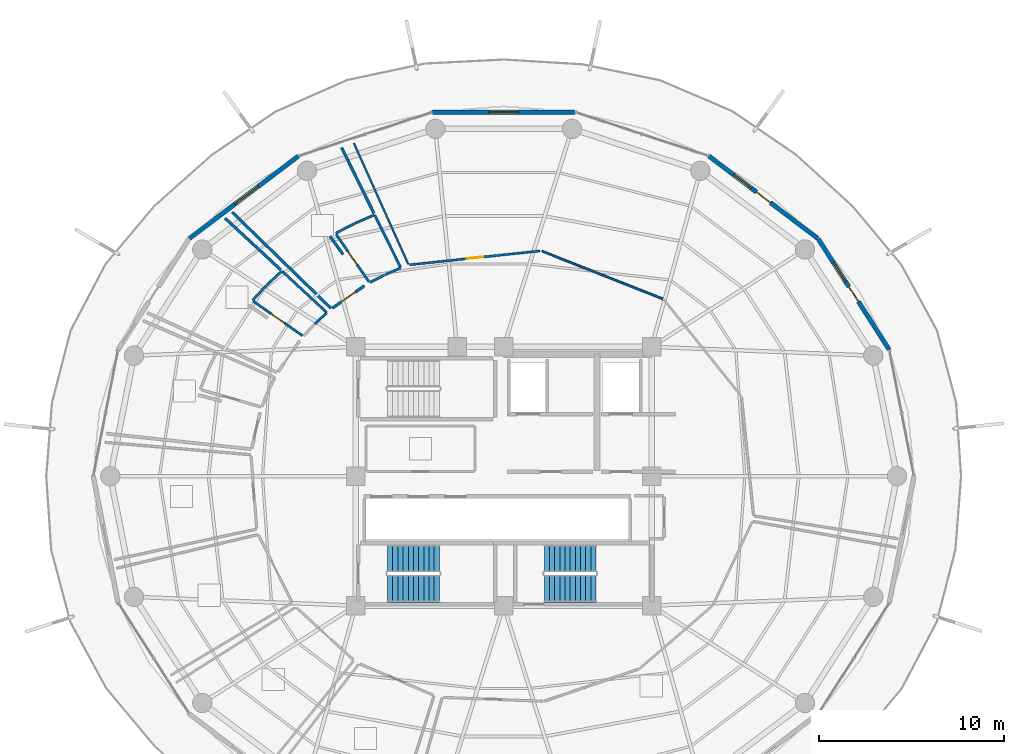
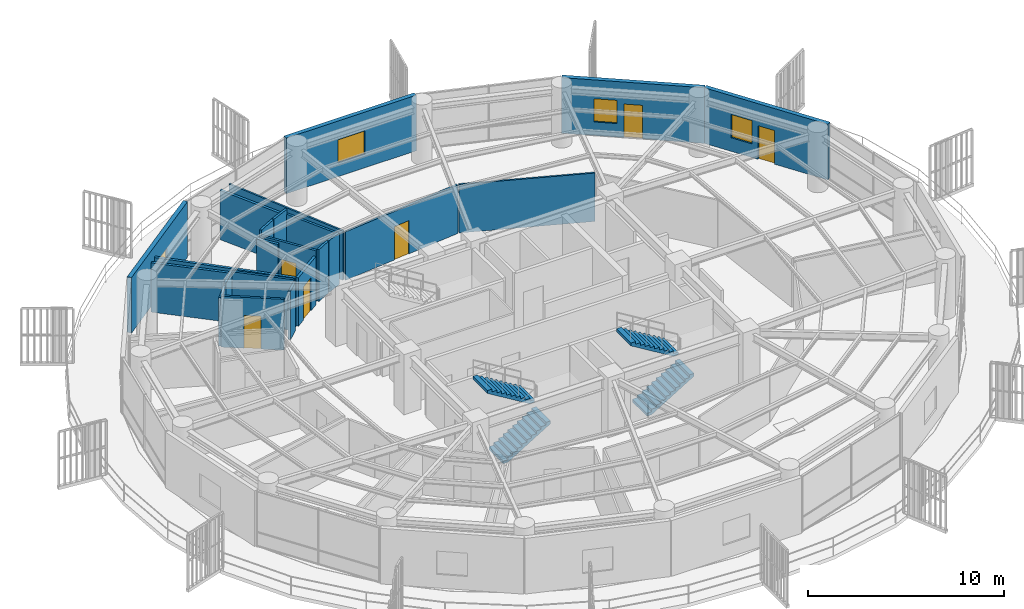
# One storey, part 26 of 31: 23 walls, 6 doors, 4 stair flights, 4 windows, 10 openings, 2 elements without a shape of their own.
"""IFC4 building model written with IfcOpenShell, lengths in metres."""

from ifc_helpers import new_model, si_unit, direction, frame, frame_2d, origin, place, context, subcontext, project, spatial, polyline, rectangle, outline, extrude, material, layer, layer_set, type_object, element, fill, aggregate, save


model = new_model("IFC4")

# Units and contexts
model_context = context("Model", 3, precision=1e-05, world=origin(), true_north=direction((0.0, 1.0)))
body_context = subcontext(model_context, "Body", "Model", "MODEL_VIEW")
ifc_project = project(units=[si_unit("LENGTHUNIT", "METRE"), si_unit("AREAUNIT", "SQUARE_METRE"), si_unit("VOLUMEUNIT", "CUBIC_METRE"), si_unit("PLANEANGLEUNIT", "RADIAN"), si_unit("MASSUNIT", "GRAM", prefix="KILO")], contexts=[model_context])

# Site, building, storey
site_placement = place(None, origin())
site = spatial("IfcSite", under=ifc_project, at=site_placement, CompositionType="ELEMENT")
building_placement = place(site_placement, origin())
building = spatial("IfcBuilding", under=site, at=building_placement, Name="Kelanora Arch Commons", CompositionType="ELEMENT")
storey_placement = place(building_placement, frame((0.0, 0.0, 223.199951171875)))
storey = spatial("IfcBuildingStorey", under=building, at=storey_placement, Name="L57", CompositionType="ELEMENT", Elevation=223.199951171875)

# Wall, opening, door
ifc_material_1 = material(Name="Autoclaved aerated concrete blockwork with fire plaster", Category="masonry")
ifc_layer_1 = layer(ifc_material_1, 0.14990234375)
ifc_layer_set_1 = layer_set([ifc_layer_1], Name="Autoclaved aerated concrete blockwork with fire plaster")
wall_type_1 = type_object("IfcWallType", Name="W-COMP-150", PredefinedType="PARTITIONING", material=ifc_layer_set_1)
wall_1_placement = place(storey_placement, frame((66.4658203125, 68.302490234375, 0.0), z_axis=(0.0, 0.0, 1.0), x_axis=(-0.819606107513, -0.572927419948, 0.0)))
wall_1 = element("IfcWall", 1, at=wall_1_placement, inside=storey, type_object=wall_type_1, Name="Cluster Bedroom L57-01 Entry Partition", PredefinedType="PARTITIONING", context=body_context, shape_type="SweptSolid", body=[
    extrude(rectangle(XDim=2.114013671875, YDim=0.14990234375, at=frame_2d((1.05712890625, 0.0))), origin(), (0.0, 0.0, 1.0), 3.025146484375),
])
opening_1_placement = place(wall_1_placement, frame((0.58203125, 0.0, 0.0)))
opening_1 = element("IfcOpeningElement", 2, at=opening_1_placement, cuts=wall_1, Name="Opening D-CLU1", PredefinedType="OPENING", context=body_context, shape_type="SweptSolid", body=[
    extrude(rectangle(XDim=0.949951171875, YDim=2.080078125, at=frame_2d((0.47509765625, 1.0400390625))), frame((0.0, 0.0849609375, 0.0), z_axis=(0.0, -1.0, 0.0), x_axis=(1.0, 0.0, 0.0)), (0.0, 0.0, 1.0), 0.169921875),
])
ifc_material_2 = material(Name="Solid-core acoustic timber cluster entry fire door", Category="wood")
door_type_1 = type_object("IfcDoorType", Name="D-CLU-95", OperationType="NOTDEFINED", PredefinedType="DOOR", material=ifc_material_2)
door_1_placement = place(opening_1_placement, origin())
door_1 = element("IfcDoor", 3, at=door_1_placement, inside=storey, type_object=door_type_1, Name="Cluster Bedroom L57-01 Door", OperationType="SINGLE_SWING_RIGHT", OverallHeight=2.080078125, OverallWidth=0.949951171875, PredefinedType="DOOR", context=body_context, shape_type="SweptSolid", body=[
    extrude(rectangle(XDim=0.949951171875, YDim=2.080078125, at=frame_2d((0.47509765625, 1.0400390625))), frame((0.0, 0.02490234375, 0.0), z_axis=(0.0, -1.0, 0.0), x_axis=(1.0, 0.0, 0.0)), (0.0, 0.0, 1.0), 0.050048828125),
])
fill(opening_1, door_1)

# Walls
wall_2_placement = place(storey_placement, frame((64.6552734375, 67.0849609375, 0.0), z_axis=(0.0, 0.0, 1.0), x_axis=(-0.716418161924, 0.697671138335, 0.0)))
element("IfcWall", 4, at=wall_2_placement, inside=storey, type_object=wall_type_1, Name="Cluster Bedroom L57-01 Enclosure Partition 2", PredefinedType="PARTITIONING", context=body_context, shape_type="SweptSolid", body=[
    extrude(rectangle(XDim=7.44921875, YDim=0.14990234375, at=frame_2d((3.724609375, 0.0))), origin(), (0.0, 0.0, 1.0), 3.074951171875),
])
wall_3_placement = place(storey_placement, frame((65.234619140625, 75.774169921875, 0.0), z_axis=(0.0, 0.0, 1.0), x_axis=(0.441884590329, -0.897071908394, 0.0)))
element("IfcWall", 5, at=wall_3_placement, inside=storey, type_object=wall_type_1, Name="Cluster Bedroom L57-01 Enclosure Partition 5", PredefinedType="PARTITIONING", context=body_context, shape_type="SweptSolid", body=[
    extrude(rectangle(XDim=3.964111328125, YDim=0.14990234375, at=frame_2d((1.98193359375, 0.0))), origin(), (0.0, 0.0, 1.0), 3.074951171875),
])
wall_4_placement = place(storey_placement, frame((64.609375, 70.9716796875, 0.0), z_axis=(0.0, 0.0, 1.0), x_axis=(0.586088334164, -0.810247162634, 0.0)))
element("IfcWall", 6, at=wall_4_placement, inside=storey, type_object=wall_type_1, Name="Cluster Bedroom L57-01 Enclosure Partition 7", PredefinedType="PARTITIONING", context=body_context, shape_type="SweptSolid", body=[
    extrude(rectangle(XDim=1.192626953125, YDim=0.14990234375, at=frame_2d((0.59619140625, 0.0))), origin(), (0.0, 0.0, 1.0), 3.175048828125),
])
wall_5_placement = place(storey_placement, frame((58.934326171875, 71.954833984375, 0.0), z_axis=(0.0, 0.0, 1.0), x_axis=(0.733337091809, -0.679865214419, 0.0)))
element("IfcWall", 7, at=wall_5_placement, inside=storey, type_object=wall_type_1, Name="Cluster Bedroom L57-02 Enclosure Partition 5", PredefinedType="PARTITIONING", context=body_context, shape_type="SweptSolid", body=[
    extrude(rectangle(XDim=4.109130859375, YDim=0.14990234375, at=frame_2d((2.0546875, 0.0))), origin(), (0.0, 0.0, 1.0), 3.074951171875),
])

# Wall, openings, door, window
ifc_material_3 = material(Name="Precast concrete C40/50 upper-zone terracotta rainscreen", Category="masonry")
ifc_layer_2 = layer(ifc_material_3, 0.239990234375)
ifc_layer_set_2 = layer_set([ifc_layer_2], Name="Precast concrete C40/50 upper-zone terracotta rainscreen")
wall_type_2 = type_object("IfcWallType", Name="W-EXT-TC2", PredefinedType="SOLIDWALL", material=ifc_layer_set_2)
wall_6_placement = place(storey_placement, frame((94.85302734375, 64.85302734375, 0.0), z_axis=(0.0, 0.0, 1.0), x_axis=(-0.539539512973, 0.841960280501, 0.0)))
wall_6 = element("IfcWall", 8, at=wall_6_placement, inside=storey, type_object=wall_type_2, Name="Terracotta Exterior Wall L57-B01", PredefinedType="SOLIDWALL", context=body_context, shape_type="SweptSolid", body=[
    extrude(rectangle(XDim=7.11474609375, YDim=0.239990234375, at=frame_2d((3.557373046875, 0.0))), origin(), (0.0, 0.0, 1.0), 3.47509765625),
])
opening_2_placement = place(wall_6_placement, frame((3.08203125, 0.0, 0.0)))
opening_2 = element("IfcOpeningElement", 9, at=opening_2_placement, cuts=wall_6, Name="Opening DB-01", PredefinedType="OPENING", context=body_context, shape_type="SweptSolid", body=[
    extrude(rectangle(XDim=0.949951171875, YDim=2.10009765625, at=frame_2d((0.47509765625, 1.050048828125))), frame((0.0, 0.1298828125, 0.0), z_axis=(0.0, -1.0, 0.0), x_axis=(1.0, 0.0, 0.0)), (0.0, 0.0, 1.0), 0.260009765625),
])
opening_3_placement = place(wall_6_placement, frame((4.382080078125, 0.0, 0.85009765625)))
opening_3 = element("IfcOpeningElement", 10, at=opening_3_placement, cuts=wall_6, Name="Opening WN-02", PredefinedType="OPENING", context=body_context, shape_type="SweptSolid", body=[
    extrude(rectangle(XDim=1.199951171875, YDim=1.449951171875, at=frame_2d((0.60009765625, 0.72509765625))), frame((0.0, 0.1298828125, 0.0), z_axis=(0.0, -1.0, 0.0), x_axis=(1.0, 0.0, 0.0)), (0.0, 0.0, 1.0), 0.260009765625),
])
ifc_material_4 = material(Name="Terracotta-aluminium thermally broken glazed balcony door", Category="masonry")
door_type_2 = type_object("IfcDoorType", Name="D-BAL-10", OperationType="NOTDEFINED", PredefinedType="DOOR", material=ifc_material_4)
door_2_placement = place(opening_2_placement, frame((0.949951171875, 0.0, 0.0), z_axis=(0.0, 0.0, 1.0), x_axis=(-1.0, 0.0, 0.0)))
door_2 = element("IfcDoor", 11, at=door_2_placement, inside=storey, type_object=door_type_2, Name="Wave Balcony Door L57-B01", OperationType="SINGLE_SWING_LEFT", OverallHeight=2.10009765625, OverallWidth=0.949951171875, PredefinedType="DOOR", context=body_context, shape_type="SweptSolid", body=[
    extrude(rectangle(XDim=0.949951171875, YDim=2.10009765625, at=frame_2d((0.47509765625, 1.050048828125))), frame((0.0, 0.02490234375, 0.0), z_axis=(0.0, -1.0, 0.0), x_axis=(1.0, 0.0, 0.0)), (0.0, 0.0, 1.0), 0.050048828125),
])
fill(opening_2, door_2)
ifc_material_5 = material(Name="Terracotta-anodised aluminium frame with operable awning sash", Category="masonry")
window_type_1 = type_object("IfcWindowType", Name="WIN-CL-12", PartitioningType="SINGLE_PANEL", PredefinedType="WINDOW", material=ifc_material_5)
window_1_placement = place(opening_3_placement, origin())
window_1 = element("IfcWindow", 12, at=window_1_placement, inside=storey, type_object=window_type_1, Name="Co-Living Operable Window L57-B01", OverallHeight=1.449951171875, OverallWidth=1.199951171875, PartitioningType="SINGLE_PANEL", PredefinedType="WINDOW", context=body_context, shape_type="SweptSolid", body=[
    extrude(rectangle(XDim=1.199951171875, YDim=1.449951171875, at=frame_2d((0.60009765625, 0.72509765625))), frame((0.0, 0.030029296875, 0.0), z_axis=(0.0, -1.0, 0.0), x_axis=(1.0, 0.0, 0.0)), (0.0, 0.0, 1.0), 0.06005859375),
])
fill(opening_3, window_1)

wall_7_placement = place(storey_placement, frame((90.994140625, 70.86474609375, 0.0), z_axis=(0.0, 0.0, 1.0), x_axis=(-0.797701674595, 0.603052268338, 0.0)))
wall_7 = element("IfcWall", 13, at=wall_7_placement, inside=storey, type_object=wall_type_2, Name="Terracotta Exterior Wall L57-B02", PredefinedType="SOLIDWALL", context=body_context, shape_type="SweptSolid", body=[
    extrude(rectangle(XDim=7.373779296875, YDim=0.239990234375, at=frame_2d((3.68701171875, 0.0))), origin(), (0.0, 0.0, 1.0), 3.47509765625),
])
opening_4_placement = place(wall_7_placement, frame((3.2119140625, 0.0, 0.0)))
opening_4 = element("IfcOpeningElement", 14, at=opening_4_placement, cuts=wall_7, Name="Opening DB-01", PredefinedType="OPENING", context=body_context, shape_type="SweptSolid", body=[
    extrude(rectangle(XDim=0.949951171875, YDim=2.10009765625, at=frame_2d((0.47509765625, 1.050048828125))), frame((0.0, 0.1298828125, 0.0), z_axis=(0.0, -1.0, 0.0), x_axis=(1.0, 0.0, 0.0)), (0.0, 0.0, 1.0), 0.260009765625),
])
opening_5_placement = place(wall_7_placement, frame((4.511962890625, 0.0, 0.85009765625)))
opening_5 = element("IfcOpeningElement", 15, at=opening_5_placement, cuts=wall_7, Name="Opening WN-02", PredefinedType="OPENING", context=body_context, shape_type="SweptSolid", body=[
    extrude(rectangle(XDim=1.199951171875, YDim=1.449951171875, at=frame_2d((0.60009765625, 0.72509765625))), frame((0.0, 0.1298828125, 0.0), z_axis=(0.0, -1.0, 0.0), x_axis=(1.0, 0.0, 0.0)), (0.0, 0.0, 1.0), 0.260009765625),
])
door_3_placement = place(opening_4_placement, frame((0.949951171875, 0.0, 0.0), z_axis=(0.0, 0.0, 1.0), x_axis=(-1.0, 0.0, 0.0)))
door_3 = element("IfcDoor", 16, at=door_3_placement, inside=storey, type_object=door_type_2, Name="Wave Balcony Door L57-B02", OperationType="SINGLE_SWING_RIGHT", OverallHeight=2.10009765625, OverallWidth=0.949951171875, PredefinedType="DOOR", context=body_context, shape_type="SweptSolid", body=[
    extrude(rectangle(XDim=0.949951171875, YDim=2.10009765625, at=frame_2d((0.47509765625, 1.050048828125))), frame((0.0, 0.02490234375, 0.0), z_axis=(0.0, -1.0, 0.0), x_axis=(1.0, 0.0, 0.0)), (0.0, 0.0, 1.0), 0.050048828125),
])
fill(opening_4, door_3)
window_2_placement = place(opening_5_placement, origin())
window_2 = element("IfcWindow", 17, at=window_2_placement, inside=storey, type_object=window_type_1, Name="Co-Living Operable Window L57-B02", OverallHeight=1.449951171875, OverallWidth=1.199951171875, PartitioningType="SINGLE_PANEL", PredefinedType="WINDOW", context=body_context, shape_type="SweptSolid", body=[
    extrude(rectangle(XDim=1.199951171875, YDim=1.449951171875, at=frame_2d((0.60009765625, 0.72509765625))), frame((0.0, 0.030029296875, 0.0), z_axis=(0.0, -1.0, 0.0), x_axis=(1.0, 0.0, 0.0)), (0.0, 0.0, 1.0), 0.06005859375),
])
fill(opening_5, window_2)

# Wall, opening, window
wall_8_placement = place(storey_placement, frame((77.840087890625, 77.6962890625, 0.0), z_axis=(0.0, 0.0, 1.0), x_axis=(-1.0, 0.0, 0.0)))
wall_8 = element("IfcWall", 18, at=wall_8_placement, inside=storey, type_object=wall_type_2, Name="Terracotta Exterior Wall L57-B04", PredefinedType="SOLIDWALL", context=body_context, shape_type="SweptSolid", body=[
    extrude(rectangle(XDim=7.68017578125, YDim=0.239990234375, at=frame_2d((3.840087890625, 0.0))), origin(), (0.0, 0.0, 1.0), 3.47509765625),
])
opening_6_placement = place(wall_8_placement, frame((3.0400390625, 0.0, 0.85009765625)))
opening_6 = element("IfcOpeningElement", 19, at=opening_6_placement, cuts=wall_8, Name="Opening WN-01", PredefinedType="OPENING", context=body_context, shape_type="SweptSolid", body=[
    extrude(rectangle(XDim=1.60009765625, YDim=1.449951171875, at=frame_2d((0.800048828125, 0.72509765625))), frame((0.0, 0.1298828125, 0.0), z_axis=(0.0, -1.0, 0.0), x_axis=(1.0, 0.0, 0.0)), (0.0, 0.0, 1.0), 0.260009765625),
])
ifc_material_6 = material(Name="Terracotta-anodised aluminium frame with operable low-E glazing", Category="masonry")
window_type_2 = type_object("IfcWindowType", Name="WIN-CL-18", PartitioningType="DOUBLE_PANEL_VERTICAL", PredefinedType="WINDOW", material=ifc_material_6)
window_3_placement = place(opening_6_placement, origin())
window_3 = element("IfcWindow", 20, at=window_3_placement, inside=storey, type_object=window_type_2, Name="Co-Living Operable Window L57-B04", OverallHeight=1.449951171875, OverallWidth=1.60009765625, PartitioningType="SINGLE_PANEL", PredefinedType="WINDOW", context=body_context, shape_type="SweptSolid", body=[
    extrude(rectangle(XDim=1.60009765625, YDim=1.449951171875, at=frame_2d((0.800048828125, 0.72509765625))), frame((0.0, 0.030029296875, 0.0), z_axis=(0.0, -1.0, 0.0), x_axis=(1.0, 0.0, 0.0)), (0.0, 0.0, 1.0), 0.06005859375),
])
fill(opening_6, window_3)

wall_9_placement = place(storey_placement, frame((62.887939453125, 75.3115234375, 0.0), z_axis=(0.0, 0.0, 1.0), x_axis=(-0.797701674595, -0.603052268338, 0.0)))
wall_9 = element("IfcWall", 21, at=wall_9_placement, inside=storey, type_object=wall_type_2, Name="Terracotta Exterior Wall L57-B06", PredefinedType="SOLIDWALL", context=body_context, shape_type="SweptSolid", body=[
    extrude(rectangle(XDim=7.373779296875, YDim=0.239990234375, at=frame_2d((3.68701171875, 0.0))), origin(), (0.0, 0.0, 1.0), 3.47509765625),
])
opening_7_placement = place(wall_9_placement, frame((2.70703125, 0.0, 0.85009765625)))
opening_7 = element("IfcOpeningElement", 22, at=opening_7_placement, cuts=wall_9, Name="Opening WN-01", PredefinedType="OPENING", context=body_context, shape_type="SweptSolid", body=[
    extrude(rectangle(XDim=1.60009765625, YDim=1.449951171875, at=frame_2d((0.800048828125, 0.72509765625))), frame((0.0, 0.1298828125, 0.0), z_axis=(0.0, -1.0, 0.0), x_axis=(1.0, 0.0, 0.0)), (0.0, 0.0, 1.0), 0.260009765625),
])
window_4_placement = place(opening_7_placement, origin())
window_4 = element("IfcWindow", 23, at=window_4_placement, inside=storey, type_object=window_type_2, Name="Co-Living Operable Window L57-B06", OverallHeight=1.449951171875, OverallWidth=1.60009765625, PartitioningType="SINGLE_PANEL", PredefinedType="WINDOW", context=body_context, shape_type="SweptSolid", body=[
    extrude(rectangle(XDim=1.60009765625, YDim=1.449951171875, at=frame_2d((0.800048828125, 0.72509765625))), frame((0.0, 0.030029296875, 0.0), z_axis=(0.0, -1.0, 0.0), x_axis=(1.0, 0.0, 0.0)), (0.0, 0.0, 1.0), 0.06005859375),
])
fill(opening_7, window_4)

# Walls
ifc_material_7 = material(Name="Lightweight fire-rated acoustic stud partition")
ifc_layer_3 = layer(ifc_material_7, 0.10009765625)
ifc_layer_set_3 = layer_set([ifc_layer_3], Name="Lightweight fire-rated acoustic stud partition")
wall_type_3 = type_object("IfcWallType", Name="W-PART-100", PredefinedType="PARTITIONING", material=ifc_layer_set_3)
wall_10_placement = place(storey_placement, frame((82.603759765625, 67.5966796875, 0.0), z_axis=(0.0, 0.0, 1.0), x_axis=(-0.930004069546, 0.367549222048, 0.0)))
element("IfcWall", 24, at=wall_10_placement, inside=storey, type_object=wall_type_3, Name="North-East Quiet Study Commons L57 Enclosure Partition 3", PredefinedType="PARTITIONING", context=body_context, shape_type="SweptSolid", body=[
    extrude(rectangle(XDim=7.029541015625, YDim=0.10009765625, at=frame_2d((3.5146484375, 0.0))), origin(), (0.0, 0.0, 1.0), 3.025146484375),
])
wall_11_placement = place(storey_placement, frame((68.840576171875, 69.468505859375, 0.0), z_axis=(0.0, 0.0, 1.0), x_axis=(-0.409724811959, 0.912209174732, 0.0)))
element("IfcWall", 25, at=wall_11_placement, inside=storey, type_object=wall_type_3, Name="North-East Quiet Study Commons L57 Enclosure Partition 5", PredefinedType="PARTITIONING", context=body_context, shape_type="SweptSolid", body=[
    extrude(rectangle(XDim=7.18798828125, YDim=0.10009765625, at=frame_2d((3.593994140625, 0.0))), origin(), (0.0, 0.0, 1.0), 3.074951171875),
])

# Wall, opening, door
ifc_material_8 = material(Name="Acoustic twin-stud fire-rated gypsum partition")
ifc_layer_4 = layer(ifc_material_8, 0.1201171875)
ifc_layer_set_4 = layer_set([ifc_layer_4], Name="Acoustic twin-stud fire-rated gypsum partition")
wall_type_4 = type_object("IfcWallType", Name="W-PART-120", PredefinedType="PARTITIONING", material=ifc_layer_set_4)
wall_12_placement = place(storey_placement, frame((75.96923828125, 70.188720703125, 0.0), z_axis=(0.0, 0.0, 1.0), x_axis=(-0.994385599796, -0.105817195755, 0.0)))
wall_12 = element("IfcWall", 26, at=wall_12_placement, inside=storey, type_object=wall_type_4, Name="North-East Quiet Study Commons L57 Entry Partition", PredefinedType="PARTITIONING", context=body_context, shape_type="SweptSolid", body=[
    extrude(rectangle(XDim=7.09228515625, YDim=0.1201171875, at=frame_2d((3.546142578125, 0.0))), origin(), (0.0, 0.0, 1.0), 3.025146484375),
])
opening_8_placement = place(wall_12_placement, frame((3.095947265625, 0.0, 0.0)))
opening_8 = element("IfcOpeningElement", 27, at=opening_8_placement, cuts=wall_12, Name="Opening D-RM1", PredefinedType="OPENING", context=body_context, shape_type="SweptSolid", body=[
    extrude(rectangle(XDim=0.89990234375, YDim=2.080078125, at=frame_2d((0.449951171875, 1.0400390625))), frame((0.0, 0.070068359375, 0.0), z_axis=(0.0, -1.0, 0.0), x_axis=(1.0, 0.0, 0.0)), (0.0, 0.0, 1.0), 0.14013671875),
])
ifc_material_9 = material(Name="Acoustic fire-rated timber study and lounge door", Category="wood")
door_type_3 = type_object("IfcDoorType", Name="D-ROOM-90", OperationType="NOTDEFINED", PredefinedType="DOOR", material=ifc_material_9)
door_4_placement = place(opening_8_placement, origin())
door_4 = element("IfcDoor", 28, at=door_4_placement, inside=storey, type_object=door_type_3, Name="North-East Quiet Study Commons L57 Door", OperationType="SINGLE_SWING_RIGHT", OverallHeight=2.080078125, OverallWidth=0.89990234375, PredefinedType="DOOR", context=body_context, shape_type="SweptSolid", body=[
    extrude(rectangle(XDim=0.89990234375, YDim=2.080078125, at=frame_2d((0.449951171875, 1.0400390625))), frame((0.0, 0.02490234375, 0.0), z_axis=(0.0, -1.0, 0.0), x_axis=(1.0, 0.0, 0.0)), (0.0, 0.0, 1.0), 0.050048828125),
])
fill(opening_8, door_4)

ifc_material_10 = material(Name="Moisture-resistant fire-rated cement-board plumbing wall")
ifc_layer_5 = layer(ifc_material_10, 0.1298828125)
ifc_layer_set_5 = layer_set([ifc_layer_5], Name="Moisture-resistant fire-rated cement-board plumbing wall")
wall_type_5 = type_object("IfcWallType", Name="W-WET-120", PredefinedType="PLUMBINGWALL", material=ifc_layer_set_5)
wall_13_placement = place(storey_placement, frame((66.7138671875, 68.519287109375, 0.0), z_axis=(0.0, 0.0, 1.0), x_axis=(-0.569575575996, 0.821938965635, 0.0)))
wall_13 = element("IfcWall", 29, at=wall_13_placement, inside=storey, type_object=wall_type_5, Name="En-Suite Shower WC L57-01 Entry Partition", PredefinedType="PLUMBINGWALL", context=body_context, shape_type="SweptSolid", body=[
    extrude(rectangle(XDim=3.124755859375, YDim=0.1298828125, at=frame_2d((1.5625, 0.0))), origin(), (0.0, 0.0, 1.0), 3.175048828125),
])
opening_9_placement = place(wall_13_placement, frame((1.132080078125, 0.0, 0.0)))
opening_9 = element("IfcOpeningElement", 30, at=opening_9_placement, cuts=wall_13, Name="Opening D-BT1", PredefinedType="OPENING", context=body_context, shape_type="SweptSolid", body=[
    extrude(rectangle(XDim=0.860107421875, YDim=2.050048828125, at=frame_2d((0.43017578125, 1.02490234375))), frame((0.0, 0.074951171875, 0.0), z_axis=(0.0, -1.0, 0.0), x_axis=(1.0, 0.0, 0.0)), (0.0, 0.0, 1.0), 0.14990234375),
])
ifc_material_11 = material(Name="Moisture-sealed fire-rated accessible bathroom door")
door_type_4 = type_object("IfcDoorType", Name="D-BATH-85", OperationType="NOTDEFINED", PredefinedType="DOOR", material=ifc_material_11)
door_5_placement = place(opening_9_placement, origin())
door_5 = element("IfcDoor", 31, at=door_5_placement, inside=storey, type_object=door_type_4, Name="En-Suite Shower WC L57-01 Door", OperationType="SINGLE_SWING_LEFT", OverallHeight=2.050048828125, OverallWidth=0.860107421875, PredefinedType="DOOR", context=body_context, shape_type="SweptSolid", body=[
    extrude(rectangle(XDim=0.860107421875, YDim=2.050048828125, at=frame_2d((0.43017578125, 1.02490234375))), frame((0.0, 0.02490234375, 0.0), z_axis=(0.0, -1.0, 0.0), x_axis=(1.0, 0.0, 0.0)), (0.0, 0.0, 1.0), 0.050048828125),
])
fill(opening_9, door_5)

wall_14_placement = place(storey_placement, frame((63.11474609375, 65.6064453125, 0.0), z_axis=(0.0, 0.0, 1.0), x_axis=(-0.819768322712, 0.57269529165, 0.0)))
wall_14 = element("IfcWall", 32, at=wall_14_placement, inside=storey, type_object=wall_type_5, Name="En-Suite Shower WC L57-02 Entry Partition", PredefinedType="PLUMBINGWALL", context=body_context, shape_type="SweptSolid", body=[
    extrude(rectangle(XDim=3.248046875, YDim=0.1298828125, at=frame_2d((1.6240234375, 0.0))), origin(), (0.0, 0.0, 1.0), 3.175048828125),
])
opening_10_placement = place(wall_14_placement, frame((1.194091796875, 0.0, 0.0)))
opening_10 = element("IfcOpeningElement", 33, at=opening_10_placement, cuts=wall_14, Name="Opening D-BT1", PredefinedType="OPENING", context=body_context, shape_type="SweptSolid", body=[
    extrude(rectangle(XDim=0.860107421875, YDim=2.050048828125, at=frame_2d((0.43017578125, 1.02490234375))), frame((0.0, 0.074951171875, 0.0), z_axis=(0.0, -1.0, 0.0), x_axis=(1.0, 0.0, 0.0)), (0.0, 0.0, 1.0), 0.14990234375),
])
door_6_placement = place(opening_10_placement, origin())
door_6 = element("IfcDoor", 34, at=door_6_placement, inside=storey, type_object=door_type_4, Name="En-Suite Shower WC L57-02 Door", OperationType="SINGLE_SWING_LEFT", OverallHeight=2.050048828125, OverallWidth=0.860107421875, PredefinedType="DOOR", context=body_context, shape_type="SweptSolid", body=[
    extrude(rectangle(XDim=0.860107421875, YDim=2.050048828125, at=frame_2d((0.43017578125, 1.02490234375))), frame((0.0, 0.02490234375, 0.0), z_axis=(0.0, -1.0, 0.0), x_axis=(1.0, 0.0, 0.0)), (0.0, 0.0, 1.0), 0.050048828125),
])
fill(opening_10, door_6)

# Walls
wall_15_placement = place(storey_placement, frame((68.418701171875, 69.264892578125, 0.0), z_axis=(0.0, 0.0, 1.0), x_axis=(-0.916724041683, -0.399521002453, 0.0)))
element("IfcWall", 35, at=wall_15_placement, inside=storey, type_object=wall_type_5, Name="En-Suite Shower WC L57-01 Enclosure Partition 1", PredefinedType="PLUMBINGWALL", context=body_context, shape_type="SweptSolid", body=[
    extrude(rectangle(XDim=0.898193359375, YDim=0.1298828125, at=frame_2d((0.44921875, 0.0))), origin(), (0.0, 0.0, 1.0), 3.235107421875),
])
wall_16_placement = place(storey_placement, frame((67.55908203125, 68.888916015625, 0.0), z_axis=(0.0, 0.0, 1.0), x_axis=(-0.888498384955, -0.458879744523, 0.0)))
element("IfcWall", 36, at=wall_16_placement, inside=storey, type_object=wall_type_5, Name="En-Suite Shower WC L57-01 Enclosure Partition 2", PredefinedType="PLUMBINGWALL", context=body_context, shape_type="SweptSolid", body=[
    extrude(rectangle(XDim=0.892822265625, YDim=0.1298828125, at=frame_2d((0.4462890625, 0.0))), origin(), (0.0, 0.0, 1.0), 3.235107421875),
])
wall_17_placement = place(storey_placement, frame((64.917724609375, 71.146240234375, 0.0), z_axis=(0.0, 0.0, 1.0), x_axis=(0.88839364622, 0.459082486439, 0.0)))
element("IfcWall", 37, at=wall_17_placement, inside=storey, type_object=wall_type_5, Name="En-Suite Shower WC L57-01 Enclosure Partition 4", PredefinedType="PLUMBINGWALL", context=body_context, shape_type="SweptSolid", body=[
    extrude(rectangle(XDim=1.131591796875, YDim=0.1298828125, at=frame_2d((0.56591796875, 0.0))), origin(), (0.0, 0.0, 1.0), 3.47998046875),
])
wall_18_placement = place(storey_placement, frame((65.959228515625, 71.68310546875, 0.0), z_axis=(0.0, 0.0, 1.0), x_axis=(0.916875363269, 0.399173606631, 0.0)))
element("IfcWall", 38, at=wall_18_placement, inside=storey, type_object=wall_type_5, Name="En-Suite Shower WC L57-01 Enclosure Partition 5", PredefinedType="PLUMBINGWALL", context=body_context, shape_type="SweptSolid", body=[
    extrude(rectangle(XDim=1.136962890625, YDim=0.1298828125, at=frame_2d((0.568359375, 0.0))), origin(), (0.0, 0.0, 1.0), 3.47998046875),
])
wall_19_placement = place(storey_placement, frame((67.02880859375, 72.127197265625, 0.0), z_axis=(0.0, 0.0, 1.0), x_axis=(0.442483009424, -0.896776887732, 0.0)))
element("IfcWall", 39, at=wall_19_placement, inside=storey, type_object=wall_type_5, Name="En-Suite Shower WC L57-01 Enclosure Partition 6", PredefinedType="PLUMBINGWALL", context=body_context, shape_type="SweptSolid", body=[
    extrude(rectangle(XDim=3.16259765625, YDim=0.1298828125, at=frame_2d((1.581298828125, 0.0))), origin(), (0.0, 0.0, 1.0), 3.175048828125),
])
wall_20_placement = place(storey_placement, frame((64.42529296875, 66.83642578125, 0.0), z_axis=(0.0, 0.0, 1.0), x_axis=(-0.73090544696, -0.68247873784, 0.0)))
element("IfcWall", 40, at=wall_20_placement, inside=storey, type_object=wall_type_5, Name="En-Suite Shower WC L57-02 Enclosure Partition 1", PredefinedType="PLUMBINGWALL", context=body_context, shape_type="SweptSolid", body=[
    extrude(rectangle(XDim=0.8671875, YDim=0.1298828125, at=frame_2d((0.43359375, 0.0))), origin(), (0.0, 0.0, 1.0), 3.025146484375),
])
wall_21_placement = place(storey_placement, frame((60.41650390625, 67.515625, 0.0), z_axis=(0.0, 0.0, 1.0), x_axis=(0.68101744228, 0.732267193933, 0.0)))
element("IfcWall", 41, at=wall_21_placement, inside=storey, type_object=wall_type_5, Name="En-Suite Shower WC L57-02 Enclosure Partition 4", PredefinedType="PLUMBINGWALL", context=body_context, shape_type="SweptSolid", body=[
    extrude(rectangle(XDim=1.0908203125, YDim=0.1298828125, at=frame_2d((0.54541015625, 0.0))), origin(), (0.0, 0.0, 1.0), 3.025146484375),
])
wall_22_placement = place(storey_placement, frame((61.1875, 68.342529296875, 0.0), z_axis=(0.0, 0.0, 1.0), x_axis=(0.731358373013, 0.681993350572, 0.0)))
element("IfcWall", 42, at=wall_22_placement, inside=storey, type_object=wall_type_5, Name="En-Suite Shower WC L57-02 Enclosure Partition 5", PredefinedType="PLUMBINGWALL", context=body_context, shape_type="SweptSolid", body=[
    extrude(rectangle(XDim=1.097900390625, YDim=0.1298828125, at=frame_2d((0.548828125, 0.0))), origin(), (0.0, 0.0, 1.0), 3.175048828125),
])
wall_23_placement = place(storey_placement, frame((62.019775390625, 69.09130859375, 0.0), z_axis=(0.0, 0.0, 1.0), x_axis=(0.733691925976, -0.679482271849, 0.0)))
element("IfcWall", 43, at=wall_23_placement, inside=storey, type_object=wall_type_5, Name="En-Suite Shower WC L57-02 Enclosure Partition 6", PredefinedType="PLUMBINGWALL", context=body_context, shape_type="SweptSolid", body=[
    extrude(rectangle(XDim=3.278564453125, YDim=0.1298828125, at=frame_2d((1.63916015625, 0.0))), origin(), (0.0, 0.0, 1.0), 3.175048828125),
])

# Stair, stair flights
ifc_material_12 = material(Name="Concrete C40/50", Category="concrete")
stair_type = type_object("IfcStairType", Name="STR-DL-375", PredefinedType="HALF_TURN_STAIR", material=ifc_material_12)
stair_1_placement = place(storey_placement, origin())
stair_1 = element("IfcStair", 44, at=stair_1_placement, inside=storey, type_object=stair_type, Name="L57 ST-T2", PredefinedType="HALF_TURN_STAIR")
stair_flight_type = type_object("IfcStairFlightType", Name="FLT-DL-375", PredefinedType="STRAIGHT", material=ifc_material_12)
stair_flight_1_placement = place(storey_placement, frame((76.199951171875, 51.919921875, 0.0), z_axis=(0.0, 0.0, 1.0), x_axis=(1.0, 0.0, 0.0)))
stair_flight_1 = element("IfcStairFlight", 45, at=stair_flight_1_placement, type_object=stair_flight_type, Name="ST-T2 flight 1", NumberOfRisers=11, NumberOfTreads=10, PredefinedType="STRAIGHT", RiserHeight=0.170454545, TreadLength=0.28, context=body_context, shape_type="SweptSolid", body=[
    extrude(outline(polyline([(0.0, 0.0), (0.0, 0.17041015625), (0.280029296875, 0.17041015625), (0.280029296875, 0.3408203125), (0.56005859375, 0.3408203125), (0.56005859375, 0.511474609375), (0.840087890625, 0.511474609375), (0.840087890625, 0.681884765625), (1.1201171875, 0.681884765625), (1.1201171875, 0.852294921875), (1.39990234375, 0.852294921875), (1.39990234375, 1.022705078125), (1.679931640625, 1.022705078125), (1.679931640625, 1.193115234375), (1.9599609375, 1.193115234375), (1.9599609375, 1.363525390625), (2.239990234375, 1.363525390625), (2.239990234375, 1.5341796875), (2.52001953125, 1.5341796875), (2.52001953125, 1.70458984375), (2.800048828125, 1.70458984375), (2.800048828125, 1.875), (2.800048828125, 1.529052734375), (0.288330078125, 0.0), (0.0, 0.0)])), frame((0.0, 0.739990234375, 0.0), z_axis=(0.0, -1.0, 0.0), x_axis=(1.0, 0.0, 0.0)), (0.0, 0.0, 1.0), 1.47998046875),
])
stair_flight_2_placement = place(storey_placement, frame((79.0, 53.550048828125, 1.875), z_axis=(0.0, 0.0, 1.0), x_axis=(-1.0, 0.0, 0.0)))
stair_flight_2 = element("IfcStairFlight", 46, at=stair_flight_2_placement, type_object=stair_flight_type, Name="ST-T2 flight 2", NumberOfRisers=11, NumberOfTreads=10, PredefinedType="STRAIGHT", RiserHeight=0.170454545, TreadLength=0.28, context=body_context, shape_type="SweptSolid", body=[
    extrude(outline(polyline([(0.0, 0.0), (0.0, 0.17041015625), (0.280029296875, 0.17041015625), (0.280029296875, 0.3408203125), (0.56005859375, 0.3408203125), (0.56005859375, 0.511474609375), (0.840087890625, 0.511474609375), (0.840087890625, 0.681884765625), (1.1201171875, 0.681884765625), (1.1201171875, 0.852294921875), (1.39990234375, 0.852294921875), (1.39990234375, 1.022705078125), (1.679931640625, 1.022705078125), (1.679931640625, 1.193115234375), (1.9599609375, 1.193115234375), (1.9599609375, 1.363525390625), (2.239990234375, 1.363525390625), (2.239990234375, 1.5341796875), (2.52001953125, 1.5341796875), (2.52001953125, 1.70458984375), (2.800048828125, 1.70458984375), (2.800048828125, 1.875), (2.800048828125, 1.529052734375), (0.288330078125, 0.0), (0.0, 0.0)])), frame((0.0, 0.739990234375, 0.0), z_axis=(0.0, -1.0, 0.0), x_axis=(1.0, 0.0, 0.0)), (0.0, 0.0, 1.0), 1.47998046875),
])
aggregate(stair_1, [stair_flight_1, stair_flight_2])

stair_2_placement = place(storey_placement, origin())
stair_2 = element("IfcStair", 47, at=stair_2_placement, inside=storey, type_object=stair_type, Name="L57 ST-T3", PredefinedType="HALF_TURN_STAIR")
stair_flight_3_placement = place(storey_placement, frame((67.719970703125, 51.919921875, 0.0), z_axis=(0.0, 0.0, 1.0), x_axis=(1.0, 0.0, 0.0)))
stair_flight_3 = element("IfcStairFlight", 48, at=stair_flight_3_placement, type_object=stair_flight_type, Name="ST-T3 flight 1", NumberOfRisers=11, NumberOfTreads=10, PredefinedType="STRAIGHT", RiserHeight=0.170454545, TreadLength=0.28, context=body_context, shape_type="SweptSolid", body=[
    extrude(outline(polyline([(0.0, 0.0), (0.0, 0.17041015625), (0.280029296875, 0.17041015625), (0.280029296875, 0.3408203125), (0.56005859375, 0.3408203125), (0.56005859375, 0.511474609375), (0.840087890625, 0.511474609375), (0.840087890625, 0.681884765625), (1.1201171875, 0.681884765625), (1.1201171875, 0.852294921875), (1.39990234375, 0.852294921875), (1.39990234375, 1.022705078125), (1.679931640625, 1.022705078125), (1.679931640625, 1.193115234375), (1.9599609375, 1.193115234375), (1.9599609375, 1.363525390625), (2.239990234375, 1.363525390625), (2.239990234375, 1.5341796875), (2.52001953125, 1.5341796875), (2.52001953125, 1.70458984375), (2.800048828125, 1.70458984375), (2.800048828125, 1.875), (2.800048828125, 1.529052734375), (0.288330078125, 0.0), (0.0, 0.0)])), frame((0.0, 0.739990234375, 0.0), z_axis=(0.0, -1.0, 0.0), x_axis=(1.0, 0.0, 0.0)), (0.0, 0.0, 1.0), 1.47998046875),
])
stair_flight_4_placement = place(storey_placement, frame((70.52001953125, 53.550048828125, 1.875), z_axis=(0.0, 0.0, 1.0), x_axis=(-1.0, 0.0, 0.0)))
stair_flight_4 = element("IfcStairFlight", 49, at=stair_flight_4_placement, type_object=stair_flight_type, Name="ST-T3 flight 2", NumberOfRisers=11, NumberOfTreads=10, PredefinedType="STRAIGHT", RiserHeight=0.170454545, TreadLength=0.28, context=body_context, shape_type="SweptSolid", body=[
    extrude(outline(polyline([(0.0, 0.0), (0.0, 0.17041015625), (0.280029296875, 0.17041015625), (0.280029296875, 0.3408203125), (0.56005859375, 0.3408203125), (0.56005859375, 0.511474609375), (0.840087890625, 0.511474609375), (0.840087890625, 0.681884765625), (1.1201171875, 0.681884765625), (1.1201171875, 0.852294921875), (1.39990234375, 0.852294921875), (1.39990234375, 1.022705078125), (1.679931640625, 1.022705078125), (1.679931640625, 1.193115234375), (1.9599609375, 1.193115234375), (1.9599609375, 1.363525390625), (2.239990234375, 1.363525390625), (2.239990234375, 1.5341796875), (2.52001953125, 1.5341796875), (2.52001953125, 1.70458984375), (2.800048828125, 1.70458984375), (2.800048828125, 1.875), (2.800048828125, 1.529052734375), (0.288330078125, 0.0), (0.0, 0.0)])), frame((0.0, 0.739990234375, 0.0), z_axis=(0.0, -1.0, 0.0), x_axis=(1.0, 0.0, 0.0)), (0.0, 0.0, 1.0), 1.47998046875),
])
aggregate(stair_2, [stair_flight_3, stair_flight_4])

save(model, "model.ifc")
